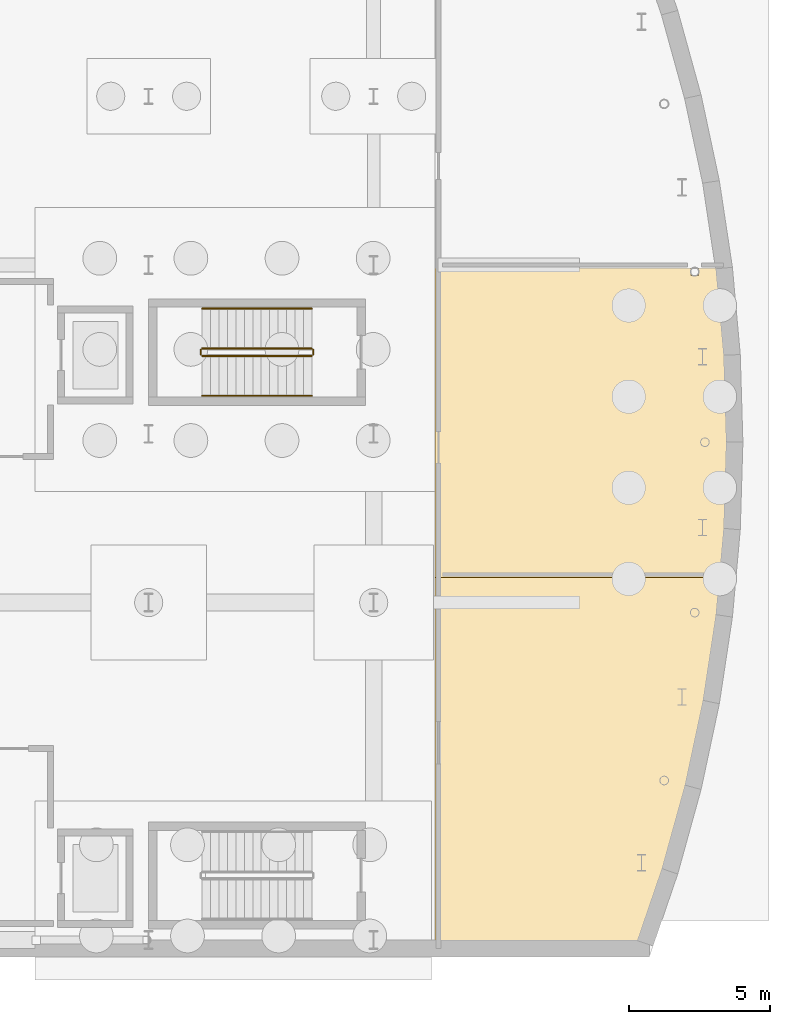
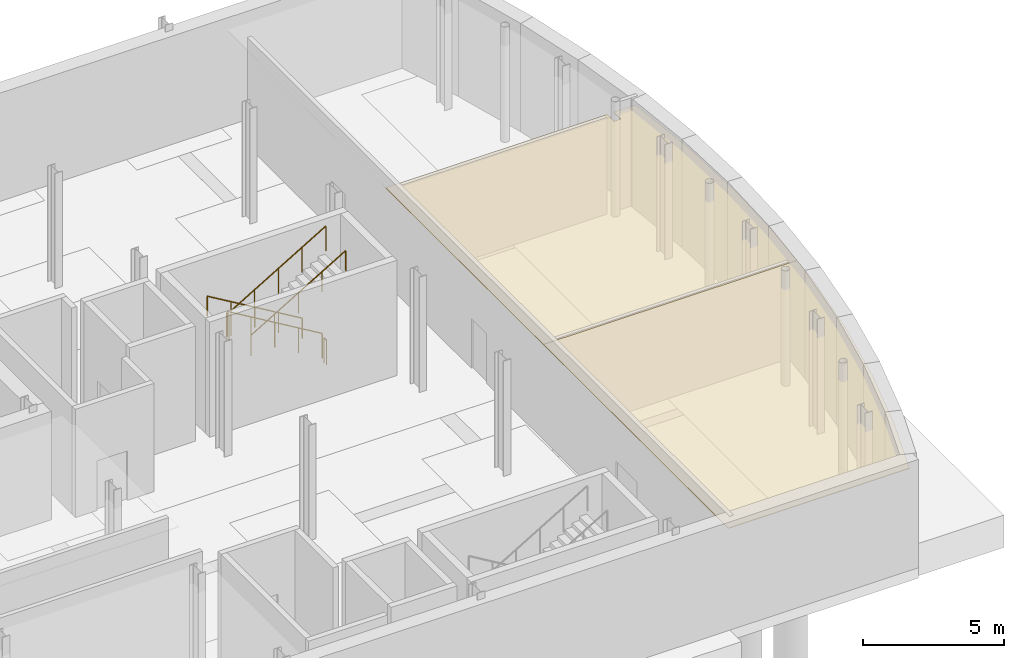
# One storey, part 45 of 47: 6 railings, 2 coverings.
"""IFC4 building model written with IfcOpenShell, lengths in metres."""

from ifc_helpers import new_model, si_unit, direction, frame, origin, origin_2d, place, context, subcontext, project, spatial, polyline, circle, outline, extrude, material, layer, layer_set, type_object, element, save


model = new_model("IFC4")

# Units and contexts
model_context = context("Model", 3, precision=1e-05, world=origin(), true_north=direction((0.0, 1.0)))
body_context = subcontext(model_context, "Body", "Model", "MODEL_VIEW")
ifc_project = project(units=[si_unit("LENGTHUNIT", "METRE"), si_unit("AREAUNIT", "SQUARE_METRE"), si_unit("VOLUMEUNIT", "CUBIC_METRE"), si_unit("PLANEANGLEUNIT", "RADIAN"), si_unit("MASSUNIT", "GRAM", prefix="KILO")], contexts=[model_context])

# Site, building, storey
site_placement = place(None, origin())
site = spatial("IfcSite", under=ifc_project, at=site_placement, CompositionType="ELEMENT")
building_placement = place(site_placement, origin())
building = spatial("IfcBuilding", under=site, at=building_placement, Name="Cymarion Research Institute", CompositionType="ELEMENT")
storey_placement = place(building_placement, frame((0.0, 0.0, -5.0)))
storey = spatial("IfcBuildingStorey", under=building, at=storey_placement, Name="B1", CompositionType="ELEMENT", Elevation=-5.0)

# Coverings
ifc_material_1 = material(Name="Micro-perforated mineral acoustic ceiling tile", Category="gypsum")
ifc_layer = layer(ifc_material_1, 0.030029296875)
ifc_layer_set = layer_set([ifc_layer], Name="Micro-perforated mineral acoustic ceiling tile")
covering_type = type_object("IfcCoveringType", Name="ACOUSTIC MICRO-PERFORATED SUSPENDED CEILING CLG-01", PredefinedType="CEILING", material=ifc_layer_set)
covering_1_placement = place(storey_placement, frame((0.0, 0.0, 4.14990234375)))
element("IfcCovering", 1, at=covering_1_placement, inside=storey, type_object=covering_type, Name="B1 B1 Curved Prow Wet Synthesis Laboratory acoustic ceiling", PredefinedType="CEILING", context=body_context, shape_type="SweptSolid", body=[
    extrude(outline(polyline([(167.224609375, 18.614990234375), (167.080078125, 17.014404296875), (166.617431640625, 13.94921875), (165.971923828125, 10.91748046875), (165.14599609375, 7.9296875), (164.22412109375, 5.235107421875), (156.784912109375, 5.235107421875), (156.784912109375, 18.614990234375), (167.224609375, 18.614990234375)])), origin(), (0.0, 0.0, 1.0), 0.030029296875),
])
covering_2_placement = place(storey_placement, frame((0.0, 0.0, 4.14990234375)))
element("IfcCovering", 2, at=covering_2_placement, inside=storey, type_object=covering_type, Name="B1 B1 Curved Prow Analytical Instrumentation Lab acoustic ceiling", PredefinedType="CEILING", context=body_context, shape_type="SweptSolid", body=[
    extrude(outline(polyline([(165.8779296875, 29.614990234375), (165.8779296875, 29.122314453125), (166.14794921875, 29.122314453125), (166.14794921875, 29.614990234375), (167.0517578125, 29.614990234375), (167.3583984375, 26.298583984375), (167.451416015625, 23.199951171875), (167.3583984375, 20.1015625), (167.20361328125, 18.385009765625), (156.784912109375, 18.385009765625), (156.784912109375, 29.614990234375), (165.8779296875, 29.614990234375)])), origin(), (0.0, 0.0, 1.0), 0.030029296875),
])

# Railings
ifc_material_2 = material(Name="Steel S355", Category="steel")
railing_type_1 = type_object("IfcRailingType", Name="PAINTED STEEL STAIR GUARDRAIL GR1 1100MM", PredefinedType="GUARDRAIL", material=ifc_material_2)
railing_1_placement = place(storey_placement, frame((152.39990234375, 26.530029296875, 0.178466796875)))
element("IfcRailing", 3, at=railing_1_placement, inside=storey, type_object=railing_type_1, Name="B1 ST2 stair guard 1", PredefinedType="GUARDRAIL", context=body_context, shape_type="SweptSolid", body=[
    extrude(circle(Radius=0.02392578125, at=origin_2d()), frame((0.0, 0.0, 1.076171875), z_axis=(-0.85927712236, 0.0, 0.511510339083), x_axis=(0.0, -1.0, 0.0)), (0.0, 0.0, 1.0), 4.53857421875),
    extrude(circle(Radius=0.02099609375, at=origin_2d()), origin(), (0.0, 0.0, 1.0), 1.052001953125),
    extrude(circle(Radius=0.02099609375, at=origin_2d()), frame((-0.97509765625, 0.0, 0.580322265625)), (0.0, 0.0, 1.0), 1.052001953125),
    extrude(circle(Radius=0.02099609375, at=origin_2d()), frame((-1.949951171875, 0.0, 1.16064453125)), (0.0, 0.0, 1.0), 1.052001953125),
    extrude(circle(Radius=0.02099609375, at=origin_2d()), frame((-2.9248046875, 0.0, 1.7412109375)), (0.0, 0.0, 1.0), 1.052001953125),
    extrude(circle(Radius=0.02099609375, at=origin_2d()), frame((-3.89990234375, 0.0, 2.321533203125)), (0.0, 0.0, 1.0), 1.052001953125),
])
railing_2_placement = place(storey_placement, frame((148.449951171875, 26.47998046875, 2.5)))
element("IfcRailing", 4, at=railing_2_placement, inside=storey, type_object=railing_type_1, Name="B1 ST2 stair guard 2", PredefinedType="GUARDRAIL", context=body_context, shape_type="SweptSolid", body=[
    extrude(circle(Radius=0.02392578125, at=origin_2d()), frame((0.0, 0.0, 1.076171875), z_axis=(0.0, -1.0, 0.0), x_axis=(1.0, 0.0, 0.0)), (0.0, 0.0, 1.0), 0.159912109375),
    extrude(circle(Radius=0.02099609375, at=origin_2d()), origin(), (0.0, 0.0, 1.0), 1.052001953125),
    extrude(circle(Radius=0.02099609375, at=origin_2d()), frame((0.0, -0.159912109375, 0.0)), (0.0, 0.0, 1.0), 1.052001953125),
])
railing_3_placement = place(storey_placement, frame((148.5, 26.27001953125, 2.678466796875)))
element("IfcRailing", 5, at=railing_3_placement, inside=storey, type_object=railing_type_1, Name="B1 ST2 stair guard 3", PredefinedType="GUARDRAIL", context=body_context, shape_type="SweptSolid", body=[
    extrude(circle(Radius=0.02392578125, at=origin_2d()), frame((0.0, 0.0, 1.076171875), z_axis=(0.85927712236, 0.0, 0.511510339083), x_axis=(0.0, 1.0, 0.0)), (0.0, 0.0, 1.0), 4.53857421875),
    extrude(circle(Radius=0.02099609375, at=origin_2d()), origin(), (0.0, 0.0, 1.0), 1.052001953125),
    extrude(circle(Radius=0.02099609375, at=origin_2d()), frame((0.97509765625, 0.0, 0.580322265625)), (0.0, 0.0, 1.0), 1.052001953125),
    extrude(circle(Radius=0.02099609375, at=origin_2d()), frame((1.949951171875, 0.0, 1.16064453125)), (0.0, 0.0, 1.0), 1.052001953125),
    extrude(circle(Radius=0.02099609375, at=origin_2d()), frame((2.9248046875, 0.0, 1.7412109375)), (0.0, 0.0, 1.0), 1.052001953125),
    extrude(circle(Radius=0.02099609375, at=origin_2d()), frame((3.89990234375, 0.0, 2.321533203125)), (0.0, 0.0, 1.0), 1.052001953125),
])
railing_4_placement = place(storey_placement, frame((152.449951171875, 26.47998046875, 0.0)))
element("IfcRailing", 6, at=railing_4_placement, inside=storey, type_object=railing_type_1, Name="B1 ST2 stair guard 4", PredefinedType="GUARDRAIL", context=body_context, shape_type="SweptSolid", body=[
    extrude(circle(Radius=0.02392578125, at=origin_2d()), frame((0.0, 0.0, 1.076171875), z_axis=(0.0, -1.0, 0.0), x_axis=(1.0, 0.0, 0.0)), (0.0, 0.0, 1.0), 0.159912109375),
    extrude(circle(Radius=0.02099609375, at=origin_2d()), origin(), (0.0, 0.0, 1.0), 1.052001953125),
    extrude(circle(Radius=0.02099609375, at=origin_2d()), frame((0.0, -0.159912109375, 0.0)), (0.0, 0.0, 1.0), 1.052001953125),
])
railing_type_2 = type_object("IfcRailingType", Name="STAINLESS STEEL STAIR HANDRAIL HR1 900MM", PredefinedType="HANDRAIL", material=ifc_material_2)
railing_5_placement = place(storey_placement, frame((152.39990234375, 27.949951171875, 0.178466796875)))
element("IfcRailing", 7, at=railing_5_placement, inside=storey, type_object=railing_type_2, Name="B1 ST2 stair handrail 1", PredefinedType="HANDRAIL", context=body_context, shape_type="SweptSolid", body=[
    extrude(circle(Radius=0.02392578125, at=origin_2d()), frame((0.0, 0.0, 0.8759765625), z_axis=(-0.85927712236, 0.0, 0.511510339083), x_axis=(0.0, -1.0, 0.0)), (0.0, 0.0, 1.0), 4.53857421875),
    extrude(circle(Radius=0.02099609375, at=origin_2d()), origin(), (0.0, 0.0, 1.0), 0.851806640625),
    extrude(circle(Radius=0.02099609375, at=origin_2d()), frame((-0.97509765625, 0.0, 0.580322265625)), (0.0, 0.0, 1.0), 0.851806640625),
    extrude(circle(Radius=0.02099609375, at=origin_2d()), frame((-1.949951171875, 0.0, 1.16064453125)), (0.0, 0.0, 1.0), 0.851806640625),
    extrude(circle(Radius=0.02099609375, at=origin_2d()), frame((-2.9248046875, 0.0, 1.7412109375)), (0.0, 0.0, 1.0), 0.851806640625),
    extrude(circle(Radius=0.02099609375, at=origin_2d()), frame((-3.89990234375, 0.0, 2.321533203125)), (0.0, 0.0, 1.0), 0.851806640625),
])
railing_6_placement = place(storey_placement, frame((148.5, 24.85009765625, 2.678466796875)))
element("IfcRailing", 8, at=railing_6_placement, inside=storey, type_object=railing_type_2, Name="B1 ST2 stair handrail 2", PredefinedType="HANDRAIL", context=body_context, shape_type="SweptSolid", body=[
    extrude(circle(Radius=0.02392578125, at=origin_2d()), frame((0.0, 0.0, 0.8759765625), z_axis=(0.85927712236, 0.0, 0.511510339083), x_axis=(0.0, 1.0, 0.0)), (0.0, 0.0, 1.0), 4.53857421875),
    extrude(circle(Radius=0.02099609375, at=origin_2d()), origin(), (0.0, 0.0, 1.0), 0.851806640625),
    extrude(circle(Radius=0.02099609375, at=origin_2d()), frame((0.97509765625, 0.0, 0.580322265625)), (0.0, 0.0, 1.0), 0.851806640625),
    extrude(circle(Radius=0.02099609375, at=origin_2d()), frame((1.949951171875, 0.0, 1.16064453125)), (0.0, 0.0, 1.0), 0.851806640625),
    extrude(circle(Radius=0.02099609375, at=origin_2d()), frame((2.9248046875, 0.0, 1.7412109375)), (0.0, 0.0, 1.0), 0.851806640625),
    extrude(circle(Radius=0.02099609375, at=origin_2d()), frame((3.89990234375, 0.0, 2.321533203125)), (0.0, 0.0, 1.0), 0.851806640625),
])

save(model, "model.ifc")
